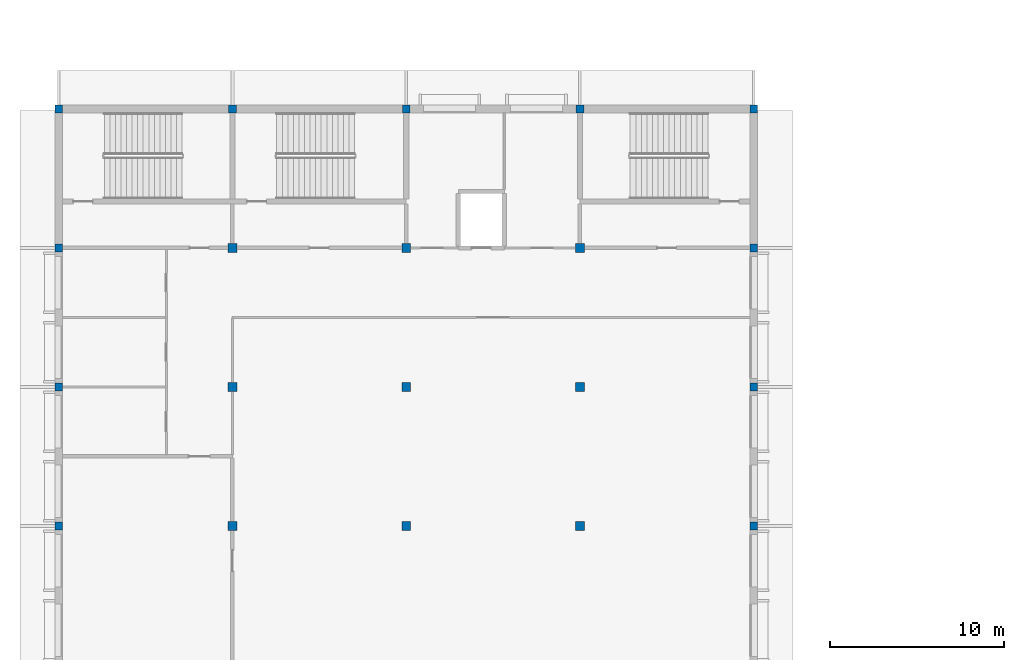
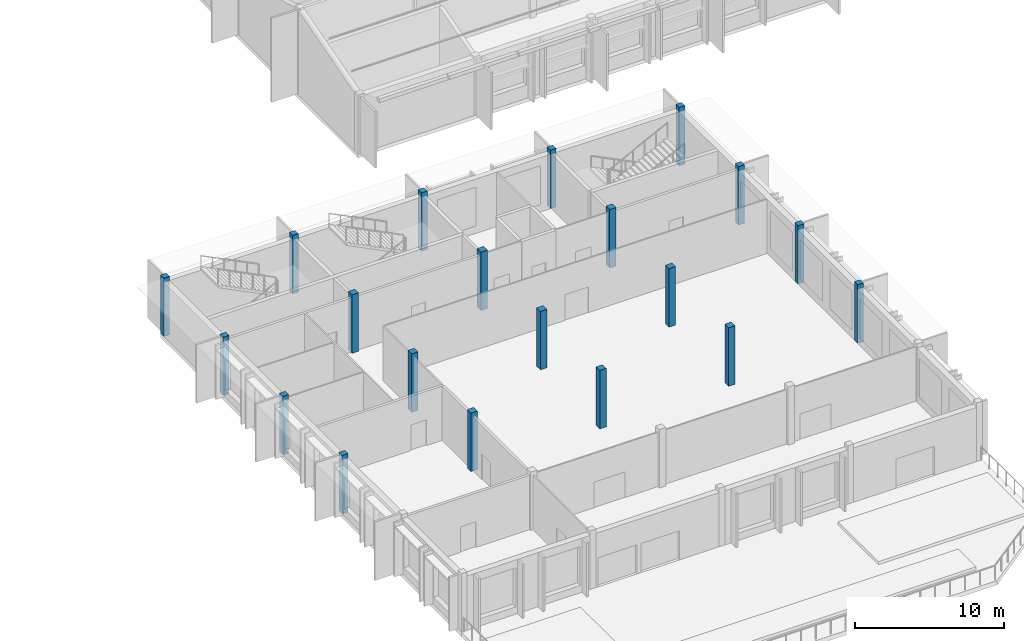
# One storey, part 3 of 196: 20 columns.
"""IFC4 building model written with IfcOpenShell, lengths in metres."""

from ifc_helpers import new_model, si_unit, direction, frame, origin, origin_2d, place, context, subcontext, project, spatial, rectangle, extrude, material, material_profile, profile_set, type_object, element, save


model = new_model("IFC4")

# Units and contexts
model_context = context("Model", 3, precision=1e-05, world=origin(), true_north=direction((0.0, 1.0)))
body_context = subcontext(model_context, "Body", "Model", "MODEL_VIEW")
ifc_project = project(units=[si_unit("LENGTHUNIT", "METRE"), si_unit("AREAUNIT", "SQUARE_METRE"), si_unit("VOLUMEUNIT", "CUBIC_METRE"), si_unit("PLANEANGLEUNIT", "RADIAN"), si_unit("MASSUNIT", "GRAM", prefix="KILO")], contexts=[model_context])

# Site, building, storey
site_placement = place(None, origin())
site = spatial("IfcSite", under=ifc_project, at=site_placement, CompositionType="ELEMENT")
building_placement = place(site_placement, origin())
building = spatial("IfcBuilding", under=site, at=building_placement, Name="Okhra Congress Centre", CompositionType="ELEMENT")
storey_placement = place(building_placement, frame((0.0, 0.0, 12.0)))
storey = spatial("IfcBuildingStorey", under=building, at=storey_placement, Name="L02", CompositionType="ELEMENT", Elevation=12.0)

# Columns
ifc_material = material(Name="Concrete C35/45", Category="concrete")
ifc_material_profile_1 = material_profile(ifc_material, rectangle(XDim=0.449951171875, YDim=0.449951171875, at=origin_2d()), Name="RC 450x450")
ifc_profile_set_1 = profile_set([ifc_material_profile_1], Name="Concrete C35/45")
column_type_1 = type_object("IfcColumnType", Name="RC column 450x450 C35/45", PredefinedType="COLUMN", material=ifc_profile_set_1)
for number, where, z_axis, x_axis, name in (
    (1, (6.0, 60.0, 0.0), (0.0, 0.0, 1.0), (1.0, 0.0, 0.0), "RS.COL.L02.3"),
    (2, (6.0, 68.0, 0.0), (0.0, 0.0, 1.0), (1.0, 0.0, 0.0), "RS.COL.L02.4"),
    (3, (6.0, 76.0, 0.0), (0.0, 0.0, 1.0), (1.0, 0.0, 0.0), "RS.COL.L02.5"),
    (4, (6.0, 84.0, 0.0), (0.0, 0.0, 1.0), (1.0, 0.0, 0.0), "RS.COL.L02.6"),
    (5, (16.0, 84.0, 0.0), (0.0, 0.0, 1.0), (1.0, 0.0, 0.0), "RS.COL.L02.12"),
    (6, (26.0, 84.0, 0.0), (0.0, 0.0, 1.0), (1.0, 0.0, 0.0), "RS.COL.L02.18"),
    (7, (36.0, 84.0, 0.0), (0.0, 0.0, 1.0), (1.0, 0.0, 0.0), "RS.COL.L02.24"),
    (8, (46.0, 60.0, 0.0), (0.0, 0.0, 1.0), (1.0, 0.0, 0.0), "RS.COL.L02.27"),
    (9, (46.0, 68.0, 0.0), (0.0, 0.0, 1.0), (1.0, 0.0, 0.0), "RS.COL.L02.28"),
    (10, (46.0, 76.0, 0.0), (0.0, 0.0, 1.0), (1.0, 0.0, 0.0), "RS.COL.L02.29"),
    (11, (46.0, 84.0, 0.0), (0.0, 0.0, 1.0), (1.0, 0.0, 0.0), "RS.COL.L02.30"),
):
    element("IfcColumn", number, at=place(storey_placement, frame(where, z_axis=z_axis, x_axis=x_axis)), inside=storey, type_object=column_type_1, Name=name, PredefinedType="COLUMN", context=body_context, shape_type="SweptSolid", body=[
        extrude(rectangle(XDim=0.449951171875, YDim=0.449951171875, at=origin_2d()), origin(), (0.0, 0.0, 1.0), 4.800048828125),
    ])
ifc_material_profile_2 = material_profile(ifc_material, rectangle(XDim=0.5, YDim=0.5, at=origin_2d()), Name="RC 500x500")
ifc_profile_set_2 = profile_set([ifc_material_profile_2], Name="Concrete C35/45")
column_type_2 = type_object("IfcColumnType", Name="RC column 500x500 C35/45", PredefinedType="COLUMN", material=ifc_profile_set_2)
for number, where, z_axis, x_axis, name in (
    (12, (16.0, 60.0, 0.0), (0.0, 0.0, 1.0), (1.0, 0.0, 0.0), "RS.COL.L02.9"),
    (13, (16.0, 68.0, 0.0), (0.0, 0.0, 1.0), (1.0, 0.0, 0.0), "RS.COL.L02.10"),
    (14, (16.0, 76.0, 0.0), (0.0, 0.0, 1.0), (1.0, 0.0, 0.0), "RS.COL.L02.11"),
    (15, (26.0, 60.0, 0.0), (0.0, 0.0, 1.0), (1.0, 0.0, 0.0), "RS.COL.L02.15"),
    (16, (26.0, 68.0, 0.0), (0.0, 0.0, 1.0), (1.0, 0.0, 0.0), "RS.COL.L02.16"),
    (17, (26.0, 76.0, 0.0), (0.0, 0.0, 1.0), (1.0, 0.0, 0.0), "RS.COL.L02.17"),
    (18, (36.0, 60.0, 0.0), (0.0, 0.0, 1.0), (1.0, 0.0, 0.0), "RS.COL.L02.21"),
    (19, (36.0, 68.0, 0.0), (0.0, 0.0, 1.0), (1.0, 0.0, 0.0), "RS.COL.L02.22"),
    (20, (36.0, 76.0, 0.0), (0.0, 0.0, 1.0), (1.0, 0.0, 0.0), "RS.COL.L02.23"),
):
    element("IfcColumn", number, at=place(storey_placement, frame(where, z_axis=z_axis, x_axis=x_axis)), inside=storey, type_object=column_type_2, Name=name, PredefinedType="COLUMN", context=body_context, shape_type="SweptSolid", body=[
        extrude(rectangle(XDim=0.5, YDim=0.5, at=origin_2d()), origin(), (0.0, 0.0, 1.0), 4.800048828125),
    ])

save(model, "model.ifc")
